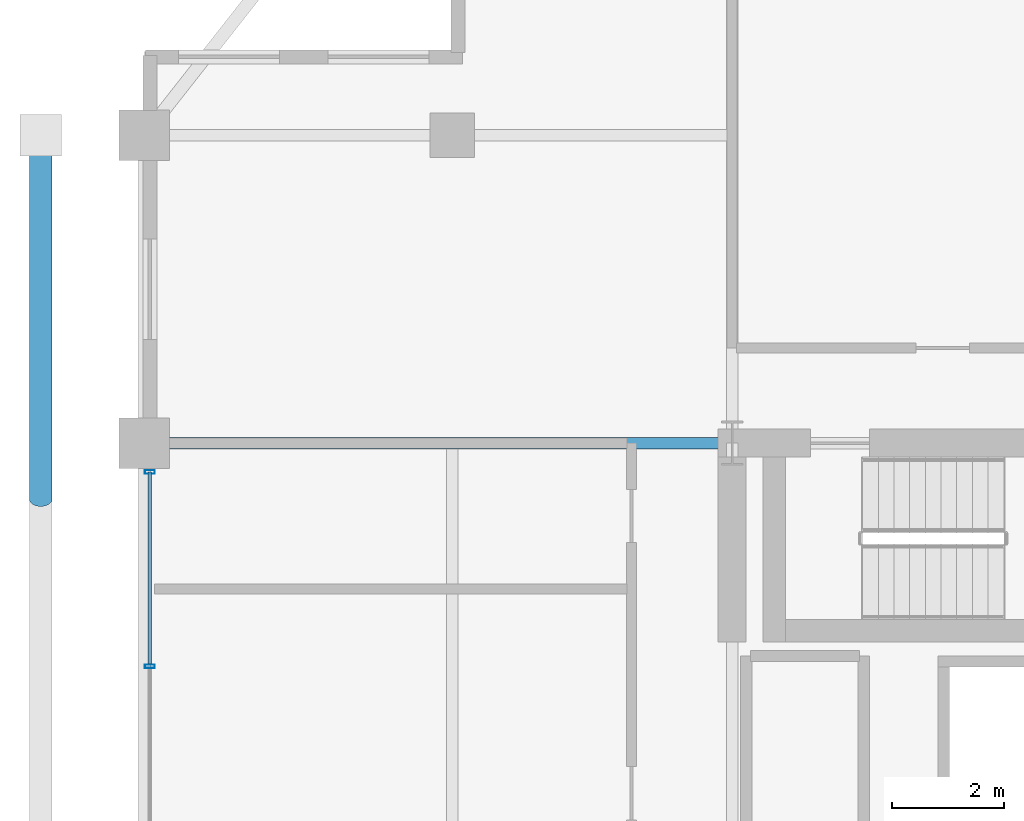
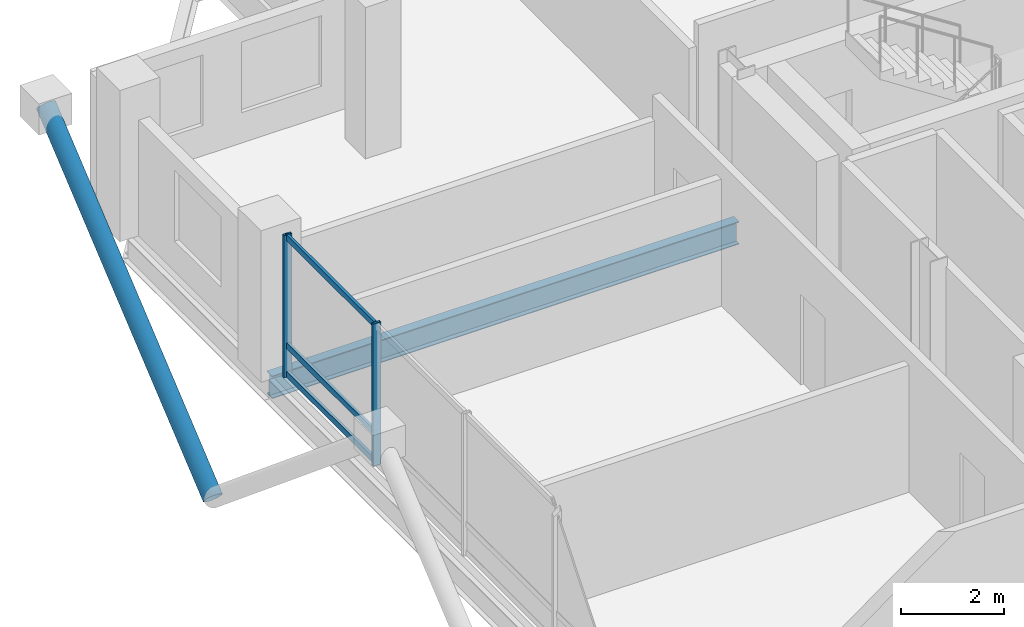
# One storey, part 9 of 22: 6 members, 1 beam, 1 element without a shape of its own.
"""IFC4 building model written with IfcOpenShell, lengths in metres."""

from ifc_helpers import new_model, si_unit, direction, frame, origin, origin_2d, place, context, subcontext, project, spatial, hollow_rectangle, hollow_circle, i_section, extrude, material, layer, layer_set, material_profile, profile_set, type_object, element, aggregate, save


model = new_model("IFC4")

# Units and contexts
model_context = context("Model", 3, precision=1e-05, world=origin(), true_north=direction((0.0, 1.0)))
body_context = subcontext(model_context, "Body", "Model", "MODEL_VIEW")
ifc_project = project(units=[si_unit("LENGTHUNIT", "METRE"), si_unit("AREAUNIT", "SQUARE_METRE"), si_unit("VOLUMEUNIT", "CUBIC_METRE"), si_unit("PLANEANGLEUNIT", "RADIAN"), si_unit("MASSUNIT", "GRAM", prefix="KILO")], contexts=[model_context])

# Site, building, storey
site_placement = place(None, origin())
site = spatial("IfcSite", under=ifc_project, at=site_placement, CompositionType="ELEMENT")
building_placement = place(site_placement, origin())
building = spatial("IfcBuilding", under=site, at=building_placement, Name="Barlavira Tower and Art Museum", CompositionType="ELEMENT")
storey_placement = place(building_placement, frame((0.0, 0.0, 269.10009765625)))
storey = spatial("IfcBuildingStorey", under=building, at=storey_placement, Name="L70", CompositionType="ELEMENT", Elevation=269.10009765625)

# Curtain wall, members
ifc_material_1 = material(Name="Low-iron coastal laminated glass", Category="glass")
ifc_layer = layer(ifc_material_1, 0.2099609375, Name="Low-iron coastal laminated glass")
ifc_layer_set = layer_set([ifc_layer], Name="Low-iron coastal laminated glass")
curtain_wall_type = type_object("IfcCurtainWallType", Name="Pale-Metal Unitised Curtain Wall Zone 4", PredefinedType="NOTDEFINED", material=ifc_layer_set)
curtain_wall_placement = place(storey_placement, origin())
curtain_wall = element("IfcCurtainWall", 1, at=curtain_wall_placement, inside=storey, type_object=curtain_wall_type, Name="L70 Curtain Wall CW4-L70-W-B3", PredefinedType="NOTDEFINED")
ifc_material_2 = material(Name="Pale anodised aluminium", Category="aluminium")
ifc_material_profile_1 = material_profile(ifc_material_2, hollow_rectangle(XDim=0.06494140625, YDim=0.179931640625, WallThickness=0.00390625, at=origin_2d()), Name="ALU-MULL 65x180x4")
ifc_profile_set_1 = profile_set([ifc_material_profile_1], Name="Pale anodised aluminium")
member_type_1 = type_object("IfcMemberType", Name="Curtain Wall Pale-Metal Mullion 65x180", PredefinedType="MULLION", material=ifc_profile_set_1)
member_1_placement = place(storey_placement, frame((-16.89990234375, 6.985107421875, 0.0), z_axis=(0.0, 0.0, 1.0), x_axis=(0.0, -1.0, 0.0)))
member_1 = element("IfcMember", 2, at=member_1_placement, type_object=member_type_1, Name="CW4-L70-W-B3 Mullion 0", PredefinedType="MULLION", context=body_context, shape_type="SweptSolid", body=[
    extrude(hollow_rectangle(XDim=0.06494140625, YDim=0.179931640625, WallThickness=0.00390625, at=origin_2d()), origin(), (0.0, 0.0, 1.0), 3.3798828125),
])
member_2_placement = place(storey_placement, frame((-16.89990234375, 3.514892578125, 0.0), z_axis=(0.0, 0.0, 1.0), x_axis=(0.0, -1.0, 0.0)))
member_2 = element("IfcMember", 3, at=member_2_placement, type_object=member_type_1, Name="CW4-L70-W-B3 Mullion 1", PredefinedType="MULLION", context=body_context, shape_type="SweptSolid", body=[
    extrude(hollow_rectangle(XDim=0.06494140625, YDim=0.179931640625, WallThickness=0.00390625, at=origin_2d()), origin(), (0.0, 0.0, 1.0), 3.3798828125),
])
ifc_material_profile_2 = material_profile(ifc_material_2, hollow_rectangle(XDim=0.06494140625, YDim=0.139892578125, WallThickness=0.00390625, at=origin_2d()), Name="ALU-TRAN 65x140x4")
ifc_profile_set_2 = profile_set([ifc_material_profile_2], Name="Pale anodised aluminium")
member_type_2 = type_object("IfcMemberType", Name="Curtain Wall Pale-Metal Transom 65x140", PredefinedType="USERDEFINED", material=ifc_profile_set_2)
member_3_placement = place(storey_placement, frame((-16.89990234375, 6.985107421875, 0.06982421875), z_axis=(0.0, -1.0, 0.0), x_axis=(1.0, 0.0, 0.0)))
member_3 = element("IfcMember", 4, at=member_3_placement, type_object=member_type_2, Name="CW4-L70-W-B3 Transom 0.1", ObjectType="TRANSOM", PredefinedType="USERDEFINED", context=body_context, shape_type="SweptSolid", body=[
    extrude(hollow_rectangle(XDim=0.06494140625, YDim=0.139892578125, WallThickness=0.00390625, at=origin_2d()), origin(), (0.0, 0.0, 1.0), 3.425048828125),
])
member_4_placement = place(storey_placement, frame((-16.89990234375, 6.985107421875, 0.743896484375), z_axis=(0.0, -1.0, 0.0), x_axis=(1.0, 0.0, 0.0)))
member_4 = element("IfcMember", 5, at=member_4_placement, type_object=member_type_2, Name="CW4-L70-W-B3 Transom 0.2", ObjectType="TRANSOM", PredefinedType="USERDEFINED", context=body_context, shape_type="SweptSolid", body=[
    extrude(hollow_rectangle(XDim=0.06494140625, YDim=0.139892578125, WallThickness=0.00390625, at=origin_2d()), origin(), (0.0, 0.0, 1.0), 3.425048828125),
])
member_5_placement = place(storey_placement, frame((-16.89990234375, 6.985107421875, 3.309814453125), z_axis=(0.0, -1.0, 0.0), x_axis=(1.0, 0.0, 0.0)))
member_5 = element("IfcMember", 6, at=member_5_placement, type_object=member_type_2, Name="CW4-L70-W-B3 Transom 0.3", ObjectType="TRANSOM", PredefinedType="USERDEFINED", context=body_context, shape_type="SweptSolid", body=[
    extrude(hollow_rectangle(XDim=0.06494140625, YDim=0.139892578125, WallThickness=0.00390625, at=origin_2d()), origin(), (0.0, 0.0, 1.0), 3.425048828125),
])
aggregate(curtain_wall, [member_1, member_2, member_3, member_4, member_5])

# Member
ifc_material_3 = material(Name="Steel S355", Category="steel")
ifc_material_profile_3 = material_profile(ifc_material_3, hollow_circle(Radius=0.203125, WallThickness=0.01611328125, at=origin_2d()), Name="CHS 406.4x16.0")
ifc_profile_set_3 = profile_set([ifc_material_profile_3], Name="Steel S355")
member_type_3 = type_object("IfcMemberType", Name="Pale-Metal Exoskeleton Diagrid Tube CHS 406x16 Steel S355", PredefinedType="BRACE", material=ifc_profile_set_3)
member_6_placement = place(storey_placement, frame((-18.85009765625, 6.5, -1.920166015625), z_axis=(0.0, 0.76918185268, 0.639029950399), x_axis=(-1.0, 0.0, 0.0)))
element("IfcMember", 7, at=member_6_placement, inside=storey, type_object=member_type_3, Name="L70 Exoskeleton Diagrid Tube W", PredefinedType="BRACE", context=body_context, shape_type="SweptSolid", body=[
    extrude(hollow_circle(Radius=0.203125, WallThickness=0.01611328125, at=origin_2d()), origin(), (0.0, 0.0, 1.0), 8.450439453125),
])

# Beam
ifc_material_profile_4 = material_profile(ifc_material_3, i_section(OverallWidth=0.2109375, OverallDepth=0.5390625, WebThickness=0.01171875, FlangeThickness=0.018798828125, at=origin_2d()), Name="W530x109.0")
ifc_profile_set_4 = profile_set([ifc_material_profile_4], Name="Steel S355")
beam_type = type_object("IfcBeamType", Name="Zone 3-4 Primary Floor Girder W530x109 Steel S355", PredefinedType="BEAM", material=ifc_profile_set_4)
beam_placement = place(storey_placement, frame((-17.0, 7.5, -0.489501953125), z_axis=(1.0, 0.0, 0.0), x_axis=(0.0, 1.0, 0.0)))
element("IfcBeam", 8, at=beam_placement, inside=storey, type_object=beam_type, Name="L70 Girder R-W2", PredefinedType="BEAM", context=body_context, shape_type="SweptSolid", body=[
    extrude(i_section(OverallWidth=0.2109375, OverallDepth=0.5390625, WebThickness=0.01171875, FlangeThickness=0.018798828125, at=origin_2d()), origin(), (0.0, 0.0, 1.0), 10.5),
])

save(model, "model.ifc")
